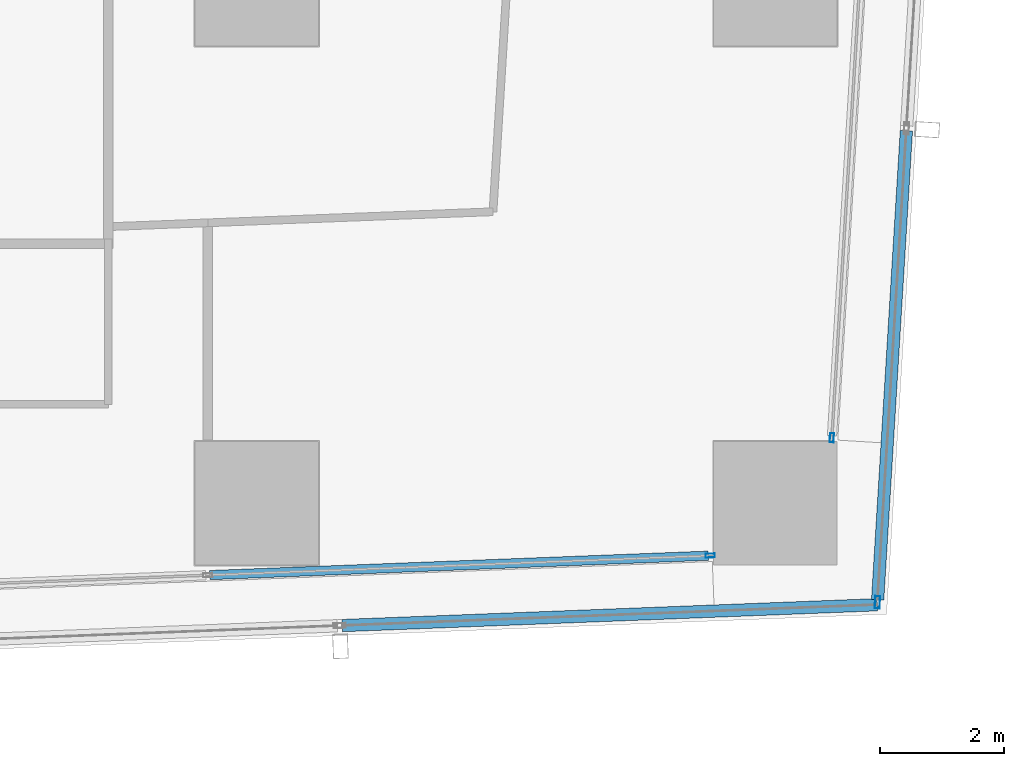
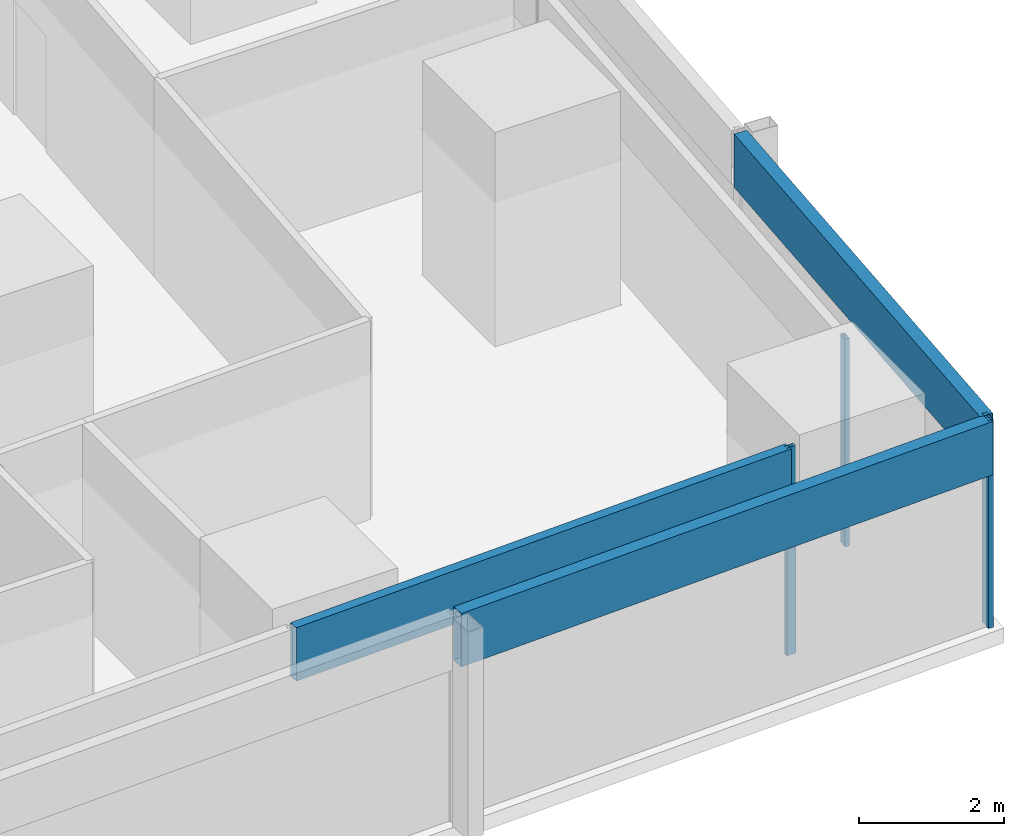
# One storey, part 9 of 36: 6 members, 4 elements without a shape of their own.
"""IFC4 building model written with IfcOpenShell, lengths in metres."""

from ifc_helpers import new_model, si_unit, direction, frame, origin, origin_2d, place, context, subcontext, project, spatial, hollow_rectangle, extrude, material, material_profile, profile_set, type_object, element, aggregate, save


model = new_model("IFC4")

# Units and contexts
model_context = context("Model", 3, precision=1e-05, world=origin(), true_north=direction((0.0, 1.0)))
body_context = subcontext(model_context, "Body", "Model", "MODEL_VIEW")
ifc_project = project(units=[si_unit("LENGTHUNIT", "METRE"), si_unit("AREAUNIT", "SQUARE_METRE"), si_unit("VOLUMEUNIT", "CUBIC_METRE"), si_unit("PLANEANGLEUNIT", "RADIAN"), si_unit("MASSUNIT", "GRAM", prefix="KILO")], contexts=[model_context])

# Site, building, storey
site_placement = place(None, origin())
site = spatial("IfcSite", under=ifc_project, at=site_placement, CompositionType="ELEMENT")
building_placement = place(site_placement, origin())
building = spatial("IfcBuilding", under=site, at=building_placement, Name="Rekha Terrace Tower", CompositionType="ELEMENT")
storey_placement = place(building_placement, frame((0.0, 0.0, 144.050048828125)))
storey = spatial("IfcBuildingStorey", under=building, at=storey_placement, Name="L36", CompositionType="ELEMENT", Elevation=144.050048828125)

# Curtain wall, member
ifc_material_1 = material(Name="Aluminium framing", Category="aluminium")
curtain_wall_type_1 = type_object("IfcCurtainWallType", Name="CW1 double skin inner glazing", PredefinedType="USERDEFINED", material=ifc_material_1)
curtain_wall_1_placement = place(storey_placement, origin())
curtain_wall_1 = element("IfcCurtainWall", 1, at=curtain_wall_1_placement, inside=storey, type_object=curtain_wall_type_1, Name="CW1 double skin inner glazing", ObjectType="DOUBLE SKIN INNER GLAZING", PredefinedType="USERDEFINED")
ifc_material_2 = material(Name="Aluminium mullion section", Category="aluminium")
ifc_material_profile_1 = material_profile(ifc_material_2, hollow_rectangle(XDim=0.06494140625, YDim=0.14990234375, WallThickness=0.00390625, at=origin_2d()), Name="AL RHS 65x150")
ifc_profile_set_1 = profile_set([ifc_material_profile_1], Name="Aluminium mullion section")
member_type_1 = type_object("IfcMemberType", Name="CW1 mullion RHS 65 x 150", PredefinedType="MULLION", material=ifc_profile_set_1)
member_1_placement = place(storey_placement, frame((66.143798828125, 15.94970703125, 0.0), z_axis=(0.0, 0.0, 1.0), x_axis=(-0.038889971328, 0.999243498918, 0.0)))
member_1 = element("IfcMember", 2, at=member_1_placement, type_object=member_type_1, Name="CW1 mullion 6", PredefinedType="MULLION", context=body_context, shape_type="SweptSolid", body=[
    extrude(hollow_rectangle(XDim=0.06494140625, YDim=0.14990234375, WallThickness=0.00390625, at=origin_2d()), origin(), (0.0, 0.0, 1.0), 3.5),
])

curtain_wall_2_placement = place(storey_placement, origin())
curtain_wall_2 = element("IfcCurtainWall", 3, at=curtain_wall_2_placement, inside=storey, type_object=curtain_wall_type_1, Name="CW1 double skin inner glazing", ObjectType="DOUBLE SKIN INNER GLAZING", PredefinedType="USERDEFINED")
member_2_placement = place(storey_placement, frame((68.113037109375, 17.85791015625, 0.0), z_axis=(0.0, 0.0, 1.0), x_axis=(-0.998127987024, 0.061159803131, 0.0)))
member_2 = element("IfcMember", 4, at=member_2_placement, type_object=member_type_1, Name="CW1 mullion 1", PredefinedType="MULLION", context=body_context, shape_type="SweptSolid", body=[
    extrude(hollow_rectangle(XDim=0.06494140625, YDim=0.14990234375, WallThickness=0.00390625, at=origin_2d()), origin(), (0.0, 0.0, 1.0), 3.5),
])
aggregate(curtain_wall_2, [member_2])

# Member
ifc_material_3 = material(Name="Insulated aluminium spandrel box", Category="aluminium")
ifc_material_profile_2 = material_profile(ifc_material_3, hollow_rectangle(XDim=0.14990234375, YDim=0.89990234375, WallThickness=0.0029296875, at=origin_2d()), Name="AL SPANDREL BOX 150x900")
ifc_profile_set_2 = profile_set([ifc_material_profile_2], Name="Insulated aluminium spandrel box")
member_type_2 = type_object("IfcMemberType", Name="CW1 spandrel transom 150 x 900", PredefinedType="USERDEFINED", material=ifc_profile_set_2)
member_3_placement = place(storey_placement, frame((58.04296875, 15.63427734375, 3.050048828125), z_axis=(0.999242568969, 0.038913858214, 0.0), x_axis=(-0.038913858214, 0.999242568969, 0.0)))
member_3 = element("IfcMember", 5, at=member_3_placement, type_object=member_type_2, Name="CW1 spandrel transom 5", ObjectType="TRANSOM", PredefinedType="USERDEFINED", context=body_context, shape_type="SweptSolid", body=[
    extrude(hollow_rectangle(XDim=0.14990234375, YDim=0.89990234375, WallThickness=0.0029296875, at=origin_2d()), origin(), (0.0, 0.0, 1.0), 8.074462890625),
])

aggregate(curtain_wall_1, [member_1, member_3])

# Curtain wall, member
curtain_wall_type_2 = type_object("IfcCurtainWallType", Name="CW2 double skin outer glazing", PredefinedType="USERDEFINED", material=ifc_material_1)
curtain_wall_3_placement = place(storey_placement, origin())
curtain_wall_3 = element("IfcCurtainWall", 6, at=curtain_wall_3_placement, inside=storey, type_object=curtain_wall_type_2, Name="CW2 double skin outer glazing", ObjectType="DOUBLE SKIN OUTER GLAZING", PredefinedType="USERDEFINED")
ifc_material_profile_3 = material_profile(ifc_material_2, hollow_rectangle(XDim=0.080078125, YDim=0.199951171875, WallThickness=0.00390625, at=origin_2d()), Name="AL RHS 80x200")
ifc_profile_set_3 = profile_set([ifc_material_profile_3], Name="Aluminium mullion section")
member_type_3 = type_object("IfcMemberType", Name="CW2 mullion RHS 80 x 200", PredefinedType="MULLION", material=ifc_profile_set_3)
member_4_placement = place(storey_placement, frame((68.8515625, 15.194091796875, 0.0), z_axis=(0.0, 0.0, 1.0), x_axis=(-0.998127987024, 0.061159803131, 0.0)))
member_4 = element("IfcMember", 7, at=member_4_placement, type_object=member_type_3, Name="CW2 mullion 1", PredefinedType="MULLION", context=body_context, shape_type="SweptSolid", body=[
    extrude(hollow_rectangle(XDim=0.080078125, YDim=0.199951171875, WallThickness=0.00390625, at=origin_2d()), origin(), (0.0, 0.0, 1.0), 3.5),
])

curtain_wall_4_placement = place(storey_placement, origin())
curtain_wall_4 = element("IfcCurtainWall", 8, at=curtain_wall_4_placement, inside=storey, type_object=curtain_wall_type_2, Name="CW2 double skin outer glazing", ObjectType="DOUBLE SKIN OUTER GLAZING", PredefinedType="USERDEFINED")
ifc_material_profile_4 = material_profile(ifc_material_3, hollow_rectangle(XDim=0.199951171875, YDim=0.89990234375, WallThickness=0.0029296875, at=origin_2d()), Name="AL SPANDREL BOX 200x900")
ifc_profile_set_4 = profile_set([ifc_material_profile_4], Name="Insulated aluminium spandrel box")
member_type_4 = type_object("IfcMemberType", Name="CW2 spandrel transom 200 x 900", PredefinedType="USERDEFINED", material=ifc_profile_set_4)
member_5_placement = place(storey_placement, frame((60.18408203125, 14.81689453125, 3.050048828125), z_axis=(0.99924276334, 0.038908866757, 0.0), x_axis=(-0.038908866757, 0.99924276334, 0.0)))
member_5 = element("IfcMember", 9, at=member_5_placement, type_object=member_type_4, Name="CW2 spandrel transom 5", ObjectType="TRANSOM", PredefinedType="USERDEFINED", context=body_context, shape_type="SweptSolid", body=[
    extrude(hollow_rectangle(XDim=0.199951171875, YDim=0.89990234375, WallThickness=0.0029296875, at=origin_2d()), origin(), (0.0, 0.0, 1.0), 8.671630859375),
])
aggregate(curtain_wall_4, [member_5])

# Member
member_6_placement = place(storey_placement, frame((68.85400390625, 15.234130859375, 3.050048828125), z_axis=(0.061175320944, 0.998127036057, 0.0), x_axis=(-0.998127036057, 0.061175320944, 0.0)))
member_6 = element("IfcMember", 10, at=member_6_placement, type_object=member_type_4, Name="CW2 spandrel transom 1", ObjectType="TRANSOM", PredefinedType="USERDEFINED", context=body_context, shape_type="SweptSolid", body=[
    extrude(hollow_rectangle(XDim=0.199951171875, YDim=0.89990234375, WallThickness=0.0029296875, at=origin_2d()), origin(), (0.0, 0.0, 1.0), 7.6064453125),
])

aggregate(curtain_wall_3, [member_4, member_6])

save(model, "model.ifc")
